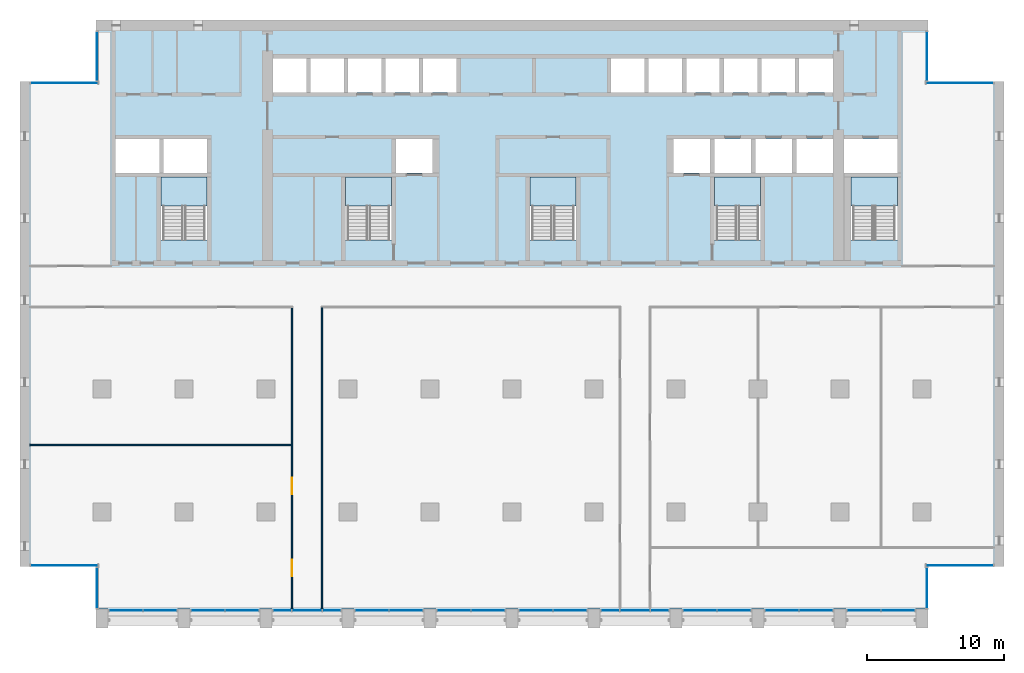
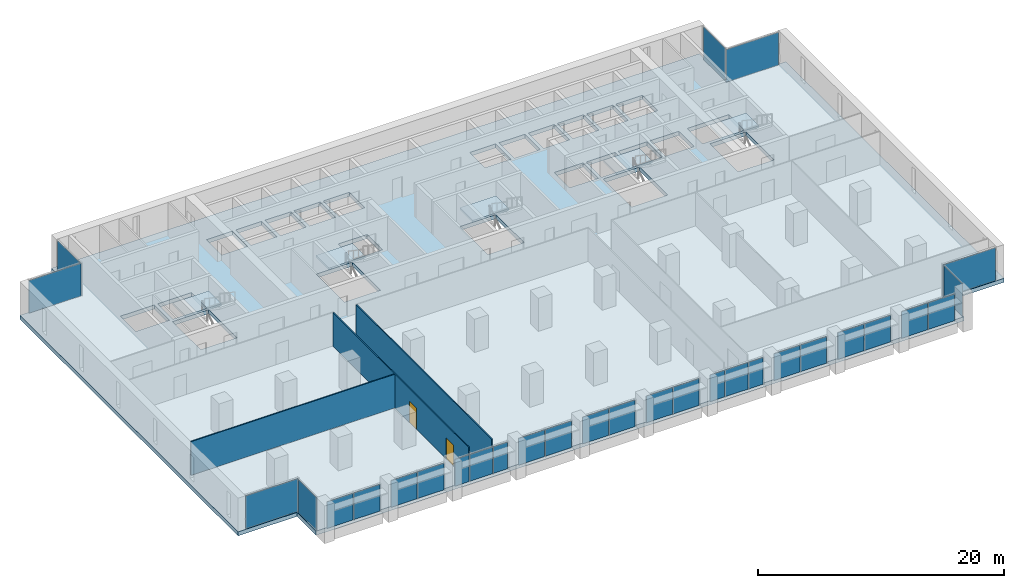
# One storey, part 7 of 15: 30 plates, 6 slabs, 3 walls, 2 doors, 2 openings, 23 elements without a shape of their own.
"""IFC4 building model written with IfcOpenShell, lengths in metres."""

from ifc_helpers import new_model, si_unit, direction, frame, frame_2d, origin, origin_2d, place, context, subcontext, project, spatial, polyline, rectangle, outline, extrude, material, layer, layer_set, type_object, element, fill, aggregate, save


model = new_model("IFC4")

# Units and contexts
model_context = context("Model", 3, precision=1e-05, world=origin(), true_north=direction((0.0, 1.0)))
body_context = subcontext(model_context, "Body", "Model", "MODEL_VIEW")
ifc_project = project(units=[si_unit("LENGTHUNIT", "METRE"), si_unit("AREAUNIT", "SQUARE_METRE"), si_unit("VOLUMEUNIT", "CUBIC_METRE"), si_unit("PLANEANGLEUNIT", "RADIAN"), si_unit("MASSUNIT", "GRAM", prefix="KILO")], contexts=[model_context])

# Site, building, storey
site_placement = place(None, origin())
site = spatial("IfcSite", under=ifc_project, at=site_placement, CompositionType="ELEMENT")
building_placement = place(site_placement, origin())
building = spatial("IfcBuilding", under=site, at=building_placement, Name="Calvaro Tower", CompositionType="ELEMENT")
storey_placement = place(building_placement, frame((0.0, 0.0, 132.5)))
storey = spatial("IfcBuildingStorey", under=building, at=storey_placement, Name="L33", CompositionType="ELEMENT", Elevation=132.5)

# Slab
ifc_material_1 = material(Name="Concrete C40/50", Category="concrete")
ifc_layer_1 = layer(ifc_material_1, 0.39990234375)
ifc_layer_set_1 = layer_set([ifc_layer_1], Name="Concrete C40/50")
slab_type_1 = type_object("IfcSlabType", Name="Floor slab 400 C40/50", PredefinedType="FLOOR", material=ifc_layer_set_1)
slab_1_placement = place(storey_placement, frame((0.0, 0.0, -0.39990234375)))
element("IfcSlab", 1, at=slab_1_placement, inside=storey, type_object=slab_type_1, Name="Floor slab", PredefinedType="FLOOR", context=body_context, shape_type="SweptSolid", body=[
    extrude(outline(polyline([(66.449951171875, 6.0), (66.449951171875, 2.89990234375), (5.550048828125, 2.89990234375), (5.550048828125, 6.0), (0.0, 6.0), (0.0, 41.5), (5.550048828125, 41.5), (5.550048828125, 46.0), (66.449951171875, 46.0), (66.449951171875, 41.5), (72.0, 41.5), (72.0, 6.0), (66.449951171875, 6.0)]), holes=[polyline([(10.300048828125, 29.909912109375), (10.300048828125, 34.5), (12.0, 34.5), (13.699951171875, 34.5), (13.699951171875, 29.909912109375), (12.0, 29.909912109375), (10.300048828125, 29.909912109375)]), polyline([(23.800048828125, 29.909912109375), (23.800048828125, 34.5), (25.5, 34.5), (27.199951171875, 34.5), (27.199951171875, 29.909912109375), (25.5, 29.909912109375), (23.800048828125, 29.909912109375)]), polyline([(37.300048828125, 29.909912109375), (37.300048828125, 34.5), (39.0, 34.5), (40.699951171875, 34.5), (40.699951171875, 29.909912109375), (39.0, 29.909912109375), (37.300048828125, 29.909912109375)]), polyline([(50.800048828125, 29.909912109375), (50.800048828125, 34.5), (52.5, 34.5), (54.199951171875, 34.5), (54.199951171875, 29.909912109375), (52.5, 29.909912109375), (50.800048828125, 29.909912109375)]), polyline([(60.800048828125, 29.909912109375), (60.800048828125, 34.5), (62.5, 34.5), (64.199951171875, 34.5), (64.199951171875, 29.909912109375), (62.5, 29.909912109375), (60.800048828125, 29.909912109375)]), polyline([(50.800048828125, 34.800048828125), (53.5, 34.800048828125), (53.5, 37.300048828125), (50.800048828125, 37.300048828125), (50.800048828125, 34.800048828125)]), polyline([(53.800048828125, 34.800048828125), (56.5, 34.800048828125), (56.5, 37.300048828125), (53.800048828125, 37.300048828125), (53.800048828125, 34.800048828125)]), polyline([(56.800048828125, 34.800048828125), (59.5, 34.800048828125), (59.5, 37.300048828125), (56.800048828125, 37.300048828125), (56.800048828125, 34.800048828125)]), polyline([(18.5, 40.699951171875), (20.949951171875, 40.699951171875), (20.949951171875, 43.199951171875), (18.5, 43.199951171875), (18.5, 40.699951171875)]), polyline([(21.25, 40.699951171875), (23.699951171875, 40.699951171875), (23.699951171875, 43.199951171875), (21.25, 43.199951171875), (21.25, 40.699951171875)]), polyline([(24.0, 40.699951171875), (26.449951171875, 40.699951171875), (26.449951171875, 43.199951171875), (24.0, 43.199951171875), (24.0, 40.699951171875)]), polyline([(26.75, 40.699951171875), (29.199951171875, 40.699951171875), (29.199951171875, 43.199951171875), (26.75, 43.199951171875), (26.75, 40.699951171875)]), polyline([(29.5, 40.699951171875), (31.949951171875, 40.699951171875), (31.949951171875, 43.199951171875), (29.5, 43.199951171875), (29.5, 40.699951171875)]), polyline([(43.25, 40.699951171875), (45.699951171875, 40.699951171875), (45.699951171875, 43.199951171875), (43.25, 43.199951171875), (43.25, 40.699951171875)]), polyline([(46.0, 40.699951171875), (48.449951171875, 40.699951171875), (48.449951171875, 43.199951171875), (46.0, 43.199951171875), (46.0, 40.699951171875)]), polyline([(48.75, 40.699951171875), (51.199951171875, 40.699951171875), (51.199951171875, 43.199951171875), (48.75, 43.199951171875), (48.75, 40.699951171875)]), polyline([(51.5, 40.699951171875), (53.949951171875, 40.699951171875), (53.949951171875, 43.199951171875), (51.5, 43.199951171875), (51.5, 40.699951171875)]), polyline([(54.25, 40.699951171875), (56.699951171875, 40.699951171875), (56.699951171875, 43.199951171875), (54.25, 43.199951171875), (54.25, 40.699951171875)]), polyline([(57.0, 40.699951171875), (59.5, 40.699951171875), (59.5, 43.199951171875), (57.0, 43.199951171875), (57.0, 40.699951171875)]), polyline([(7.0, 34.800048828125), (10.199951171875, 34.800048828125), (10.199951171875, 37.300048828125), (7.0, 37.300048828125), (7.0, 34.800048828125)]), polyline([(10.5, 34.800048828125), (13.699951171875, 34.800048828125), (13.699951171875, 37.300048828125), (10.5, 37.300048828125), (10.5, 34.800048828125)]), polyline([(60.300048828125, 34.800048828125), (64.199951171875, 34.800048828125), (64.199951171875, 37.300048828125), (60.300048828125, 37.300048828125), (60.300048828125, 34.800048828125)]), polyline([(27.5, 34.800048828125), (30.199951171875, 34.800048828125), (30.199951171875, 37.300048828125), (27.5, 37.300048828125), (27.5, 34.800048828125)]), polyline([(47.800048828125, 34.800048828125), (50.5, 34.800048828125), (50.5, 37.300048828125), (47.800048828125, 37.300048828125), (47.800048828125, 34.800048828125)])]), origin(), (0.0, 0.0, 1.0), 0.39990234375),
])

# Curtain wall, plates
ifc_material_2 = material(Name="Anodised aluminium", Category="aluminium")
curtain_wall_type = type_object("IfcCurtainWallType", Name="Office curtain wall, middle zone", PredefinedType="NOTDEFINED", material=ifc_material_2)
curtain_wall_1_placement = place(storey_placement, origin())
curtain_wall_1 = element("IfcCurtainWall", 2, at=curtain_wall_1_placement, inside=storey, type_object=curtain_wall_type, Name="CW2 south curtain wall", PredefinedType="NOTDEFINED")
ifc_material_3 = material(Name="Glass", Category="glass")
ifc_layer_2 = layer(ifc_material_3, 0.031982421875)
ifc_layer_set_2 = layer_set([ifc_layer_2], Name="Glass")
plate_type = type_object("IfcPlateType", Name="Glass panel S2 32", PredefinedType="CURTAIN_PANEL", material=ifc_layer_set_2)
plate_1_placement = place(storey_placement, frame((7.742431640625, 2.800048828125, 0.0), z_axis=(0.0, 0.0, 1.0), x_axis=(1.0, 0.0, 0.0)))
plate_1 = element("IfcPlate", 3, at=plate_1_placement, type_object=plate_type, Name="CW2 glass panel 1.1", PredefinedType="CURTAIN_PANEL", context=body_context, shape_type="SweptSolid", body=[
    extrude(rectangle(XDim=2.445068359375, YDim=0.031982421875, at=origin_2d()), origin(), (0.0, 0.0, 1.0), 2.64990234375),
])
plate_2_placement = place(storey_placement, frame((10.257568359375, 2.800048828125, 0.0), z_axis=(0.0, 0.0, 1.0), x_axis=(1.0, 0.0, 0.0)))
plate_2 = element("IfcPlate", 4, at=plate_2_placement, type_object=plate_type, Name="CW2 glass panel 2.1", PredefinedType="CURTAIN_PANEL", context=body_context, shape_type="SweptSolid", body=[
    extrude(rectangle(XDim=2.445068359375, YDim=0.031982421875, at=origin_2d()), origin(), (0.0, 0.0, 1.0), 2.64990234375),
])
aggregate(curtain_wall_1, [plate_1, plate_2])

curtain_wall_2_placement = place(storey_placement, origin())
curtain_wall_2 = element("IfcCurtainWall", 5, at=curtain_wall_2_placement, inside=storey, type_object=curtain_wall_type, Name="CW2 south curtain wall", PredefinedType="NOTDEFINED")
plate_3_placement = place(storey_placement, frame((13.742431640625, 2.800048828125, 0.0), z_axis=(0.0, 0.0, 1.0), x_axis=(1.0, 0.0, 0.0)))
plate_3 = element("IfcPlate", 6, at=plate_3_placement, type_object=plate_type, Name="CW2 glass panel 1.1", PredefinedType="CURTAIN_PANEL", context=body_context, shape_type="SweptSolid", body=[
    extrude(rectangle(XDim=2.445068359375, YDim=0.031982421875, at=origin_2d()), origin(), (0.0, 0.0, 1.0), 2.64990234375),
])
plate_4_placement = place(storey_placement, frame((16.257568359375, 2.800048828125, 0.0), z_axis=(0.0, 0.0, 1.0), x_axis=(1.0, 0.0, 0.0)))
plate_4 = element("IfcPlate", 7, at=plate_4_placement, type_object=plate_type, Name="CW2 glass panel 2.1", PredefinedType="CURTAIN_PANEL", context=body_context, shape_type="SweptSolid", body=[
    extrude(rectangle(XDim=2.445068359375, YDim=0.031982421875, at=origin_2d()), origin(), (0.0, 0.0, 1.0), 2.64990234375),
])
aggregate(curtain_wall_2, [plate_3, plate_4])

curtain_wall_3_placement = place(storey_placement, origin())
curtain_wall_3 = element("IfcCurtainWall", 8, at=curtain_wall_3_placement, inside=storey, type_object=curtain_wall_type, Name="CW2 south curtain wall", PredefinedType="NOTDEFINED")
plate_5_placement = place(storey_placement, frame((19.1923828125, 2.800048828125, 0.0), z_axis=(0.0, 0.0, 1.0), x_axis=(1.0, 0.0, 0.0)))
plate_5 = element("IfcPlate", 9, at=plate_5_placement, type_object=plate_type, Name="CW2 glass panel 1.1", PredefinedType="CURTAIN_PANEL", context=body_context, shape_type="SweptSolid", body=[
    extrude(rectangle(XDim=1.344970703125, YDim=0.031982421875, at=origin_2d()), origin(), (0.0, 0.0, 1.0), 2.64990234375),
])
plate_6_placement = place(storey_placement, frame((21.0, 2.800048828125, 0.0), z_axis=(0.0, 0.0, 1.0), x_axis=(1.0, 0.0, 0.0)))
plate_6 = element("IfcPlate", 10, at=plate_6_placement, type_object=plate_type, Name="CW2 glass panel 2.1", PredefinedType="CURTAIN_PANEL", context=body_context, shape_type="SweptSolid", body=[
    extrude(rectangle(XDim=2.1298828125, YDim=0.031982421875, at=origin_2d()), origin(), (0.0, 0.0, 1.0), 2.64990234375),
])
plate_7_placement = place(storey_placement, frame((22.8076171875, 2.800048828125, 0.0), z_axis=(0.0, 0.0, 1.0), x_axis=(1.0, 0.0, 0.0)))
plate_7 = element("IfcPlate", 11, at=plate_7_placement, type_object=plate_type, Name="CW2 glass panel 3.1", PredefinedType="CURTAIN_PANEL", context=body_context, shape_type="SweptSolid", body=[
    extrude(rectangle(XDim=1.344970703125, YDim=0.031982421875, at=origin_2d()), origin(), (0.0, 0.0, 1.0), 2.64990234375),
])
aggregate(curtain_wall_3, [plate_5, plate_6, plate_7])

curtain_wall_4_placement = place(storey_placement, origin())
curtain_wall_4 = element("IfcCurtainWall", 12, at=curtain_wall_4_placement, inside=storey, type_object=curtain_wall_type, Name="CW2 south curtain wall", PredefinedType="NOTDEFINED")
plate_8_placement = place(storey_placement, frame((25.742431640625, 2.800048828125, 0.0), z_axis=(0.0, 0.0, 1.0), x_axis=(1.0, 0.0, 0.0)))
plate_8 = element("IfcPlate", 13, at=plate_8_placement, type_object=plate_type, Name="CW2 glass panel 1.1", PredefinedType="CURTAIN_PANEL", context=body_context, shape_type="SweptSolid", body=[
    extrude(rectangle(XDim=2.445068359375, YDim=0.031982421875, at=origin_2d()), origin(), (0.0, 0.0, 1.0), 2.64990234375),
])
plate_9_placement = place(storey_placement, frame((28.257568359375, 2.800048828125, 0.0), z_axis=(0.0, 0.0, 1.0), x_axis=(1.0, 0.0, 0.0)))
plate_9 = element("IfcPlate", 14, at=plate_9_placement, type_object=plate_type, Name="CW2 glass panel 2.1", PredefinedType="CURTAIN_PANEL", context=body_context, shape_type="SweptSolid", body=[
    extrude(rectangle(XDim=2.445068359375, YDim=0.031982421875, at=origin_2d()), origin(), (0.0, 0.0, 1.0), 2.64990234375),
])
aggregate(curtain_wall_4, [plate_8, plate_9])

curtain_wall_5_placement = place(storey_placement, origin())
curtain_wall_5 = element("IfcCurtainWall", 15, at=curtain_wall_5_placement, inside=storey, type_object=curtain_wall_type, Name="CW2 south curtain wall", PredefinedType="NOTDEFINED")
plate_10_placement = place(storey_placement, frame((31.742431640625, 2.800048828125, 0.0), z_axis=(0.0, 0.0, 1.0), x_axis=(1.0, 0.0, 0.0)))
plate_10 = element("IfcPlate", 16, at=plate_10_placement, type_object=plate_type, Name="CW2 glass panel 1.1", PredefinedType="CURTAIN_PANEL", context=body_context, shape_type="SweptSolid", body=[
    extrude(rectangle(XDim=2.445068359375, YDim=0.031982421875, at=origin_2d()), origin(), (0.0, 0.0, 1.0), 2.64990234375),
])
plate_11_placement = place(storey_placement, frame((34.257568359375, 2.800048828125, 0.0), z_axis=(0.0, 0.0, 1.0), x_axis=(1.0, 0.0, 0.0)))
plate_11 = element("IfcPlate", 17, at=plate_11_placement, type_object=plate_type, Name="CW2 glass panel 2.1", PredefinedType="CURTAIN_PANEL", context=body_context, shape_type="SweptSolid", body=[
    extrude(rectangle(XDim=2.445068359375, YDim=0.031982421875, at=origin_2d()), origin(), (0.0, 0.0, 1.0), 2.64990234375),
])
aggregate(curtain_wall_5, [plate_10, plate_11])

curtain_wall_6_placement = place(storey_placement, origin())
curtain_wall_6 = element("IfcCurtainWall", 18, at=curtain_wall_6_placement, inside=storey, type_object=curtain_wall_type, Name="CW2 south curtain wall", PredefinedType="NOTDEFINED")
plate_12_placement = place(storey_placement, frame((37.742431640625, 2.800048828125, 0.0), z_axis=(0.0, 0.0, 1.0), x_axis=(1.0, 0.0, 0.0)))
plate_12 = element("IfcPlate", 19, at=plate_12_placement, type_object=plate_type, Name="CW2 glass panel 1.1", PredefinedType="CURTAIN_PANEL", context=body_context, shape_type="SweptSolid", body=[
    extrude(rectangle(XDim=2.445068359375, YDim=0.031982421875, at=origin_2d()), origin(), (0.0, 0.0, 1.0), 2.64990234375),
])
plate_13_placement = place(storey_placement, frame((40.257568359375, 2.800048828125, 0.0), z_axis=(0.0, 0.0, 1.0), x_axis=(1.0, 0.0, 0.0)))
plate_13 = element("IfcPlate", 20, at=plate_13_placement, type_object=plate_type, Name="CW2 glass panel 2.1", PredefinedType="CURTAIN_PANEL", context=body_context, shape_type="SweptSolid", body=[
    extrude(rectangle(XDim=2.445068359375, YDim=0.031982421875, at=origin_2d()), origin(), (0.0, 0.0, 1.0), 2.64990234375),
])
aggregate(curtain_wall_6, [plate_12, plate_13])

curtain_wall_7_placement = place(storey_placement, origin())
curtain_wall_7 = element("IfcCurtainWall", 21, at=curtain_wall_7_placement, inside=storey, type_object=curtain_wall_type, Name="CW2 south curtain wall", PredefinedType="NOTDEFINED")
plate_14_placement = place(storey_placement, frame((43.1923828125, 2.800048828125, 0.0), z_axis=(0.0, 0.0, 1.0), x_axis=(1.0, 0.0, 0.0)))
plate_14 = element("IfcPlate", 22, at=plate_14_placement, type_object=plate_type, Name="CW2 glass panel 1.1", PredefinedType="CURTAIN_PANEL", context=body_context, shape_type="SweptSolid", body=[
    extrude(rectangle(XDim=1.344970703125, YDim=0.031982421875, at=origin_2d()), origin(), (0.0, 0.0, 1.0), 2.64990234375),
])
plate_15_placement = place(storey_placement, frame((45.0, 2.800048828125, 0.0), z_axis=(0.0, 0.0, 1.0), x_axis=(1.0, 0.0, 0.0)))
plate_15 = element("IfcPlate", 23, at=plate_15_placement, type_object=plate_type, Name="CW2 glass panel 2.1", PredefinedType="CURTAIN_PANEL", context=body_context, shape_type="SweptSolid", body=[
    extrude(rectangle(XDim=2.1298828125, YDim=0.031982421875, at=origin_2d()), origin(), (0.0, 0.0, 1.0), 2.64990234375),
])
plate_16_placement = place(storey_placement, frame((46.8076171875, 2.800048828125, 0.0), z_axis=(0.0, 0.0, 1.0), x_axis=(1.0, 0.0, 0.0)))
plate_16 = element("IfcPlate", 24, at=plate_16_placement, type_object=plate_type, Name="CW2 glass panel 3.1", PredefinedType="CURTAIN_PANEL", context=body_context, shape_type="SweptSolid", body=[
    extrude(rectangle(XDim=1.344970703125, YDim=0.031982421875, at=origin_2d()), origin(), (0.0, 0.0, 1.0), 2.64990234375),
])
aggregate(curtain_wall_7, [plate_14, plate_15, plate_16])

curtain_wall_8_placement = place(storey_placement, origin())
curtain_wall_8 = element("IfcCurtainWall", 25, at=curtain_wall_8_placement, inside=storey, type_object=curtain_wall_type, Name="CW2 south curtain wall", PredefinedType="NOTDEFINED")
plate_17_placement = place(storey_placement, frame((49.742431640625, 2.800048828125, 0.0), z_axis=(0.0, 0.0, 1.0), x_axis=(1.0, 0.0, 0.0)))
plate_17 = element("IfcPlate", 26, at=plate_17_placement, type_object=plate_type, Name="CW2 glass panel 1.1", PredefinedType="CURTAIN_PANEL", context=body_context, shape_type="SweptSolid", body=[
    extrude(rectangle(XDim=2.445068359375, YDim=0.031982421875, at=origin_2d()), origin(), (0.0, 0.0, 1.0), 2.64990234375),
])
plate_18_placement = place(storey_placement, frame((52.257568359375, 2.800048828125, 0.0), z_axis=(0.0, 0.0, 1.0), x_axis=(1.0, 0.0, 0.0)))
plate_18 = element("IfcPlate", 27, at=plate_18_placement, type_object=plate_type, Name="CW2 glass panel 2.1", PredefinedType="CURTAIN_PANEL", context=body_context, shape_type="SweptSolid", body=[
    extrude(rectangle(XDim=2.445068359375, YDim=0.031982421875, at=origin_2d()), origin(), (0.0, 0.0, 1.0), 2.64990234375),
])
aggregate(curtain_wall_8, [plate_17, plate_18])

curtain_wall_9_placement = place(storey_placement, origin())
curtain_wall_9 = element("IfcCurtainWall", 28, at=curtain_wall_9_placement, inside=storey, type_object=curtain_wall_type, Name="CW2 south curtain wall", PredefinedType="NOTDEFINED")
plate_19_placement = place(storey_placement, frame((55.742431640625, 2.800048828125, 0.0), z_axis=(0.0, 0.0, 1.0), x_axis=(1.0, 0.0, 0.0)))
plate_19 = element("IfcPlate", 29, at=plate_19_placement, type_object=plate_type, Name="CW2 glass panel 1.1", PredefinedType="CURTAIN_PANEL", context=body_context, shape_type="SweptSolid", body=[
    extrude(rectangle(XDim=2.445068359375, YDim=0.031982421875, at=origin_2d()), origin(), (0.0, 0.0, 1.0), 2.64990234375),
])
plate_20_placement = place(storey_placement, frame((58.257568359375, 2.800048828125, 0.0), z_axis=(0.0, 0.0, 1.0), x_axis=(1.0, 0.0, 0.0)))
plate_20 = element("IfcPlate", 30, at=plate_20_placement, type_object=plate_type, Name="CW2 glass panel 2.1", PredefinedType="CURTAIN_PANEL", context=body_context, shape_type="SweptSolid", body=[
    extrude(rectangle(XDim=2.445068359375, YDim=0.031982421875, at=origin_2d()), origin(), (0.0, 0.0, 1.0), 2.64990234375),
])
aggregate(curtain_wall_9, [plate_19, plate_20])

curtain_wall_10_placement = place(storey_placement, origin())
curtain_wall_10 = element("IfcCurtainWall", 31, at=curtain_wall_10_placement, inside=storey, type_object=curtain_wall_type, Name="CW2 south curtain wall", PredefinedType="NOTDEFINED")
plate_21_placement = place(storey_placement, frame((61.742431640625, 2.800048828125, 0.0), z_axis=(0.0, 0.0, 1.0), x_axis=(1.0, 0.0, 0.0)))
plate_21 = element("IfcPlate", 32, at=plate_21_placement, type_object=plate_type, Name="CW2 glass panel 1.1", PredefinedType="CURTAIN_PANEL", context=body_context, shape_type="SweptSolid", body=[
    extrude(rectangle(XDim=2.445068359375, YDim=0.031982421875, at=origin_2d()), origin(), (0.0, 0.0, 1.0), 2.64990234375),
])
plate_22_placement = place(storey_placement, frame((64.257568359375, 2.800048828125, 0.0), z_axis=(0.0, 0.0, 1.0), x_axis=(1.0, 0.0, 0.0)))
plate_22 = element("IfcPlate", 33, at=plate_22_placement, type_object=plate_type, Name="CW2 glass panel 2.1", PredefinedType="CURTAIN_PANEL", context=body_context, shape_type="SweptSolid", body=[
    extrude(rectangle(XDim=2.445068359375, YDim=0.031982421875, at=origin_2d()), origin(), (0.0, 0.0, 1.0), 2.64990234375),
])
aggregate(curtain_wall_10, [plate_21, plate_22])

# Curtain wall, plate
curtain_wall_11_placement = place(storey_placement, origin())
curtain_wall_11 = element("IfcCurtainWall", 34, at=curtain_wall_11_placement, inside=storey, type_object=curtain_wall_type, Name="CW2 corner curtain wall", PredefinedType="NOTDEFINED")
plate_23_placement = place(storey_placement, frame((5.64990234375, 4.449951171875, 0.0), z_axis=(0.0, 0.0, 1.0), x_axis=(0.0, 1.0, 0.0)))
plate_23 = element("IfcPlate", 35, at=plate_23_placement, type_object=plate_type, Name="CW2 glass panel 1.1", PredefinedType="CURTAIN_PANEL", context=body_context, shape_type="SweptSolid", body=[
    extrude(rectangle(XDim=2.9599609375, YDim=0.031982421875, at=origin_2d()), origin(), (0.0, 0.0, 1.0), 3.25),
])
aggregate(curtain_wall_11, [plate_23])

curtain_wall_12_placement = place(storey_placement, origin())
curtain_wall_12 = element("IfcCurtainWall", 36, at=curtain_wall_12_placement, inside=storey, type_object=curtain_wall_type, Name="CW2 corner curtain wall", PredefinedType="NOTDEFINED")
plate_24_placement = place(storey_placement, frame((3.22509765625, 6.10009765625, 0.0), z_axis=(0.0, 0.0, 1.0), x_axis=(1.0, 0.0, 0.0)))
plate_24 = element("IfcPlate", 37, at=plate_24_placement, type_object=plate_type, Name="CW2 glass panel 1.1", PredefinedType="CURTAIN_PANEL", context=body_context, shape_type="SweptSolid", body=[
    extrude(rectangle(XDim=4.909912109375, YDim=0.031982421875, at=origin_2d()), origin(), (0.0, 0.0, 1.0), 3.25),
])
aggregate(curtain_wall_12, [plate_24])

curtain_wall_13_placement = place(storey_placement, origin())
curtain_wall_13 = element("IfcCurtainWall", 38, at=curtain_wall_13_placement, inside=storey, type_object=curtain_wall_type, Name="CW2 corner curtain wall", PredefinedType="NOTDEFINED")
plate_25_placement = place(storey_placement, frame((5.64990234375, 43.35009765625, 0.0), z_axis=(0.0, 0.0, 1.0), x_axis=(0.0, 1.0, 0.0)))
plate_25 = element("IfcPlate", 39, at=plate_25_placement, type_object=plate_type, Name="CW2 glass panel 1.1", PredefinedType="CURTAIN_PANEL", context=body_context, shape_type="SweptSolid", body=[
    extrude(rectangle(XDim=3.56005859375, YDim=0.031982421875, at=origin_2d()), origin(), (0.0, 0.0, 1.0), 3.25),
])
aggregate(curtain_wall_13, [plate_25])

curtain_wall_14_placement = place(storey_placement, origin())
curtain_wall_14 = element("IfcCurtainWall", 40, at=curtain_wall_14_placement, inside=storey, type_object=curtain_wall_type, Name="CW2 corner curtain wall", PredefinedType="NOTDEFINED")
plate_26_placement = place(storey_placement, frame((3.22509765625, 41.39990234375, 0.0), z_axis=(0.0, 0.0, 1.0), x_axis=(1.0, 0.0, 0.0)))
plate_26 = element("IfcPlate", 41, at=plate_26_placement, type_object=plate_type, Name="CW2 glass panel 1.1", PredefinedType="CURTAIN_PANEL", context=body_context, shape_type="SweptSolid", body=[
    extrude(rectangle(XDim=4.909912109375, YDim=0.031982421875, at=origin_2d()), origin(), (0.0, 0.0, 1.0), 3.25),
])
aggregate(curtain_wall_14, [plate_26])

curtain_wall_15_placement = place(storey_placement, origin())
curtain_wall_15 = element("IfcCurtainWall", 42, at=curtain_wall_15_placement, inside=storey, type_object=curtain_wall_type, Name="CW2 corner curtain wall", PredefinedType="NOTDEFINED")
plate_27_placement = place(storey_placement, frame((66.35009765625, 4.449951171875, 0.0), z_axis=(0.0, 0.0, 1.0), x_axis=(0.0, 1.0, 0.0)))
plate_27 = element("IfcPlate", 43, at=plate_27_placement, type_object=plate_type, Name="CW2 glass panel 1.1", PredefinedType="CURTAIN_PANEL", context=body_context, shape_type="SweptSolid", body=[
    extrude(rectangle(XDim=2.9599609375, YDim=0.031982421875, at=origin_2d()), origin(), (0.0, 0.0, 1.0), 3.25),
])
aggregate(curtain_wall_15, [plate_27])

curtain_wall_16_placement = place(storey_placement, origin())
curtain_wall_16 = element("IfcCurtainWall", 44, at=curtain_wall_16_placement, inside=storey, type_object=curtain_wall_type, Name="CW2 corner curtain wall", PredefinedType="NOTDEFINED")
plate_28_placement = place(storey_placement, frame((68.77490234375, 6.10009765625, 0.0), z_axis=(0.0, 0.0, 1.0), x_axis=(1.0, 0.0, 0.0)))
plate_28 = element("IfcPlate", 45, at=plate_28_placement, type_object=plate_type, Name="CW2 glass panel 1.1", PredefinedType="CURTAIN_PANEL", context=body_context, shape_type="SweptSolid", body=[
    extrude(rectangle(XDim=4.909912109375, YDim=0.031982421875, at=origin_2d()), origin(), (0.0, 0.0, 1.0), 3.25),
])
aggregate(curtain_wall_16, [plate_28])

curtain_wall_17_placement = place(storey_placement, origin())
curtain_wall_17 = element("IfcCurtainWall", 46, at=curtain_wall_17_placement, inside=storey, type_object=curtain_wall_type, Name="CW2 corner curtain wall", PredefinedType="NOTDEFINED")
plate_29_placement = place(storey_placement, frame((66.35009765625, 43.35009765625, 0.0), z_axis=(0.0, 0.0, 1.0), x_axis=(0.0, 1.0, 0.0)))
plate_29 = element("IfcPlate", 47, at=plate_29_placement, type_object=plate_type, Name="CW2 glass panel 1.1", PredefinedType="CURTAIN_PANEL", context=body_context, shape_type="SweptSolid", body=[
    extrude(rectangle(XDim=3.56005859375, YDim=0.031982421875, at=origin_2d()), origin(), (0.0, 0.0, 1.0), 3.25),
])
aggregate(curtain_wall_17, [plate_29])

curtain_wall_18_placement = place(storey_placement, origin())
curtain_wall_18 = element("IfcCurtainWall", 48, at=curtain_wall_18_placement, inside=storey, type_object=curtain_wall_type, Name="CW2 corner curtain wall", PredefinedType="NOTDEFINED")
plate_30_placement = place(storey_placement, frame((68.77490234375, 41.39990234375, 0.0), z_axis=(0.0, 0.0, 1.0), x_axis=(1.0, 0.0, 0.0)))
plate_30 = element("IfcPlate", 49, at=plate_30_placement, type_object=plate_type, Name="CW2 glass panel 1.1", PredefinedType="CURTAIN_PANEL", context=body_context, shape_type="SweptSolid", body=[
    extrude(rectangle(XDim=4.909912109375, YDim=0.031982421875, at=origin_2d()), origin(), (0.0, 0.0, 1.0), 3.25),
])
aggregate(curtain_wall_18, [plate_30])

# Stair, slab
ifc_material_4 = material(Name="Concrete C40/50", Category="concrete")
stair_type = type_object("IfcStairType", Name="Exit stair 1400 2 flights", PredefinedType="HALF_TURN_STAIR", material=ifc_material_4)
stair_1_placement = place(storey_placement, origin())
stair_1 = element("IfcStair", 50, at=stair_1_placement, inside=storey, type_object=stair_type, Name="Exit stair S1", PredefinedType="HALF_TURN_STAIR")
ifc_material_5 = material(Name="Concrete C40/50", Category="concrete")
ifc_layer_3 = layer(ifc_material_5, 0.199951171875)
ifc_layer_set_3 = layer_set([ifc_layer_3], Name="Concrete C40/50")
slab_type_2 = type_object("IfcSlabType", Name="Stair landing", PredefinedType="LANDING", material=ifc_layer_set_3)
slab_2_placement = place(storey_placement, frame((0.0, 0.0, 1.675048828125)))
slab_2 = element("IfcSlab", 51, at=slab_2_placement, type_object=slab_type_2, Name="Exit stair 1, landing 1", PredefinedType="LANDING", context=body_context, shape_type="SweptSolid", body=[
    extrude(outline(polyline([(11.89990234375, 32.389892578125), (10.5, 32.389892578125), (10.5, 32.39990234375), (10.300048828125, 32.39990234375), (10.300048828125, 34.5), (10.5, 34.5), (11.89990234375, 34.5), (12.10009765625, 34.5), (13.5, 34.5), (13.699951171875, 34.5), (13.699951171875, 32.39990234375), (13.5, 32.39990234375), (13.5, 32.389892578125), (12.10009765625, 32.389892578125), (12.10009765625, 32.39990234375), (11.89990234375, 32.39990234375), (11.89990234375, 32.389892578125)])), origin(), (0.0, 0.0, 1.0), 0.199951171875),
])
aggregate(stair_1, [slab_2])

stair_2_placement = place(storey_placement, origin())
stair_2 = element("IfcStair", 52, at=stair_2_placement, inside=storey, type_object=stair_type, Name="Exit stair S2", PredefinedType="HALF_TURN_STAIR")
slab_3_placement = place(storey_placement, frame((0.0, 0.0, 1.675048828125)))
slab_3 = element("IfcSlab", 53, at=slab_3_placement, type_object=slab_type_2, Name="Exit stair 2, landing 1", PredefinedType="LANDING", context=body_context, shape_type="SweptSolid", body=[
    extrude(outline(polyline([(25.39990234375, 32.389892578125), (24.0, 32.389892578125), (24.0, 32.39990234375), (23.800048828125, 32.39990234375), (23.800048828125, 34.5), (24.0, 34.5), (25.39990234375, 34.5), (25.60009765625, 34.5), (27.0, 34.5), (27.199951171875, 34.5), (27.199951171875, 32.39990234375), (27.0, 32.39990234375), (27.0, 32.389892578125), (25.60009765625, 32.389892578125), (25.60009765625, 32.39990234375), (25.39990234375, 32.39990234375), (25.39990234375, 32.389892578125)])), origin(), (0.0, 0.0, 1.0), 0.199951171875),
])
aggregate(stair_2, [slab_3])

stair_3_placement = place(storey_placement, origin())
stair_3 = element("IfcStair", 54, at=stair_3_placement, inside=storey, type_object=stair_type, Name="Exit stair S3", PredefinedType="HALF_TURN_STAIR")
slab_4_placement = place(storey_placement, frame((0.0, 0.0, 1.675048828125)))
slab_4 = element("IfcSlab", 55, at=slab_4_placement, type_object=slab_type_2, Name="Exit stair 3, landing 1", PredefinedType="LANDING", context=body_context, shape_type="SweptSolid", body=[
    extrude(outline(polyline([(38.89990234375, 32.389892578125), (37.5, 32.389892578125), (37.5, 32.39990234375), (37.300048828125, 32.39990234375), (37.300048828125, 34.5), (37.5, 34.5), (38.89990234375, 34.5), (39.10009765625, 34.5), (40.5, 34.5), (40.699951171875, 34.5), (40.699951171875, 32.39990234375), (40.5, 32.39990234375), (40.5, 32.389892578125), (39.10009765625, 32.389892578125), (39.10009765625, 32.39990234375), (38.89990234375, 32.39990234375), (38.89990234375, 32.389892578125)])), origin(), (0.0, 0.0, 1.0), 0.199951171875),
])
aggregate(stair_3, [slab_4])

stair_4_placement = place(storey_placement, origin())
stair_4 = element("IfcStair", 56, at=stair_4_placement, inside=storey, type_object=stair_type, Name="Exit stair S4", PredefinedType="HALF_TURN_STAIR")
slab_5_placement = place(storey_placement, frame((0.0, 0.0, 1.675048828125)))
slab_5 = element("IfcSlab", 57, at=slab_5_placement, type_object=slab_type_2, Name="Exit stair 4, landing 1", PredefinedType="LANDING", context=body_context, shape_type="SweptSolid", body=[
    extrude(outline(polyline([(52.39990234375, 32.389892578125), (51.0, 32.389892578125), (51.0, 32.39990234375), (50.800048828125, 32.39990234375), (50.800048828125, 34.5), (51.0, 34.5), (52.39990234375, 34.5), (52.60009765625, 34.5), (54.0, 34.5), (54.199951171875, 34.5), (54.199951171875, 32.39990234375), (54.0, 32.39990234375), (54.0, 32.389892578125), (52.60009765625, 32.389892578125), (52.60009765625, 32.39990234375), (52.39990234375, 32.39990234375), (52.39990234375, 32.389892578125)])), origin(), (0.0, 0.0, 1.0), 0.199951171875),
])
aggregate(stair_4, [slab_5])

stair_5_placement = place(storey_placement, origin())
stair_5 = element("IfcStair", 58, at=stair_5_placement, inside=storey, type_object=stair_type, Name="Exit stair S5", PredefinedType="HALF_TURN_STAIR")
slab_6_placement = place(storey_placement, frame((0.0, 0.0, 1.675048828125)))
slab_6 = element("IfcSlab", 59, at=slab_6_placement, type_object=slab_type_2, Name="Exit stair 5, landing 1", PredefinedType="LANDING", context=body_context, shape_type="SweptSolid", body=[
    extrude(outline(polyline([(62.39990234375, 32.389892578125), (61.0, 32.389892578125), (61.0, 32.39990234375), (60.800048828125, 32.39990234375), (60.800048828125, 34.5), (61.0, 34.5), (62.39990234375, 34.5), (62.60009765625, 34.5), (64.0, 34.5), (64.199951171875, 34.5), (64.199951171875, 32.39990234375), (64.0, 32.39990234375), (64.0, 32.389892578125), (62.60009765625, 32.389892578125), (62.60009765625, 32.39990234375), (62.39990234375, 32.39990234375), (62.39990234375, 32.389892578125)])), origin(), (0.0, 0.0, 1.0), 0.199951171875),
])
aggregate(stair_5, [slab_6])

# Wall
ifc_material_6 = material(Name="Plasterboard on steel studs", Category="steel")
ifc_layer_4 = layer(ifc_material_6, 0.10009765625)
ifc_layer_set_4 = layer_set([ifc_layer_4], Name="Plasterboard on steel studs")
wall_type = type_object("IfcWallType", Name="Partition 100", PredefinedType="PARTITIONING", material=ifc_layer_set_4)
wall_1_placement = place(storey_placement, frame((0.699951171875, 14.89990234375, 0.0), z_axis=(0.0, 0.0, 1.0), x_axis=(1.0, 0.0, 0.0)))
element("IfcWall", 60, at=wall_1_placement, inside=storey, type_object=wall_type, Name="Partition T20.W002", PredefinedType="PARTITIONING", context=body_context, shape_type="SweptSolid", body=[
    extrude(rectangle(XDim=19.150146484375, YDim=0.10009765625, at=frame_2d((9.5751953125, 0.0))), origin(), (0.0, 0.0, 1.0), 3.35009765625),
])

# Wall, openings, doors
wall_2_placement = place(storey_placement, frame((19.89990234375, 2.89990234375, 0.0), z_axis=(0.0, 0.0, 1.0), x_axis=(0.0, 1.0, 0.0)))
wall_2 = element("IfcWall", 61, at=wall_2_placement, inside=storey, type_object=wall_type, Name="Partition T20.W008", PredefinedType="PARTITIONING", context=body_context, shape_type="SweptSolid", body=[
    extrude(rectangle(XDim=22.050048828125, YDim=0.10009765625, at=frame_2d((11.02490234375, 0.0))), origin(), (0.0, 0.0, 1.0), 3.35009765625),
])
opening_1_placement = place(wall_2_placement, frame((2.39990234375, 0.0, 0.0)))
opening_1 = element("IfcOpeningElement", 62, at=opening_1_placement, cuts=wall_2, Name="Opening T20.002", PredefinedType="OPENING", context=body_context, shape_type="SweptSolid", body=[
    extrude(rectangle(XDim=1.199951171875, YDim=2.10009765625, at=frame_2d((0.60009765625, 1.050048828125))), frame((0.0, 0.06005859375, 0.0), z_axis=(0.0, -1.0, 0.0), x_axis=(1.0, 0.0, 0.0)), (0.0, 0.0, 1.0), 0.1201171875),
])
opening_2_placement = place(wall_2_placement, frame((8.39990234375, 0.0, 0.0)))
opening_2 = element("IfcOpeningElement", 63, at=opening_2_placement, cuts=wall_2, Name="Opening T20.003", PredefinedType="OPENING", context=body_context, shape_type="SweptSolid", body=[
    extrude(rectangle(XDim=1.199951171875, YDim=2.10009765625, at=frame_2d((0.60009765625, 1.050048828125))), frame((0.0, 0.06005859375, 0.0), z_axis=(0.0, -1.0, 0.0), x_axis=(1.0, 0.0, 0.0)), (0.0, 0.0, 1.0), 0.1201171875),
])
ifc_material_7 = material(Name="Timber", Category="wood")
door_type = type_object("IfcDoorType", Name="Internal single door 1200 x 2100", OperationType="SINGLE_SWING_LEFT", PredefinedType="DOOR", material=ifc_material_7)
door_1_placement = place(opening_1_placement, origin())
door_1 = element("IfcDoor", 64, at=door_1_placement, inside=storey, type_object=door_type, Name="Door T20.002", OperationType="SINGLE_SWING_LEFT", OverallHeight=2.10009765625, OverallWidth=1.199951171875, PredefinedType="DOOR", context=body_context, shape_type="SweptSolid", body=[
    extrude(rectangle(XDim=1.199951171875, YDim=2.10009765625, at=frame_2d((0.60009765625, 1.050048828125))), frame((0.0, 0.02490234375, 0.0), z_axis=(0.0, -1.0, 0.0), x_axis=(1.0, 0.0, 0.0)), (0.0, 0.0, 1.0), 0.050048828125),
])
fill(opening_1, door_1)
door_2_placement = place(opening_2_placement, origin())
door_2 = element("IfcDoor", 65, at=door_2_placement, inside=storey, type_object=door_type, Name="Door T20.003", OperationType="SINGLE_SWING_LEFT", OverallHeight=2.10009765625, OverallWidth=1.199951171875, PredefinedType="DOOR", context=body_context, shape_type="SweptSolid", body=[
    extrude(rectangle(XDim=1.199951171875, YDim=2.10009765625, at=frame_2d((0.60009765625, 1.050048828125))), frame((0.0, 0.02490234375, 0.0), z_axis=(0.0, -1.0, 0.0), x_axis=(1.0, 0.0, 0.0)), (0.0, 0.0, 1.0), 0.050048828125),
])
fill(opening_2, door_2)

# Wall
wall_3_placement = place(storey_placement, frame((22.10009765625, 2.89990234375, 0.0), z_axis=(0.0, 0.0, 1.0), x_axis=(0.0, 1.0, 0.0)))
element("IfcWall", 66, at=wall_3_placement, inside=storey, type_object=wall_type, Name="Partition T20.W009", PredefinedType="PARTITIONING", context=body_context, shape_type="SweptSolid", body=[
    extrude(rectangle(XDim=22.050048828125, YDim=0.10009765625, at=frame_2d((11.02490234375, 0.0))), origin(), (0.0, 0.0, 1.0), 3.35009765625),
])

save(model, "model.ifc")
